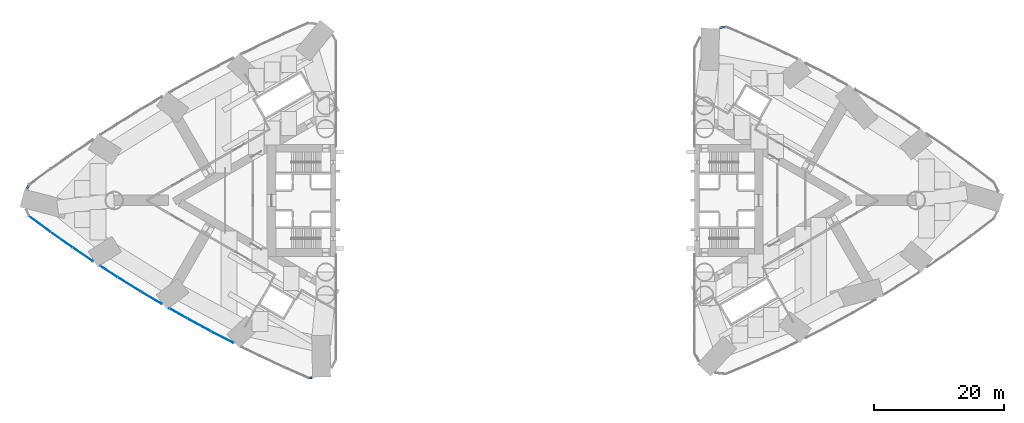
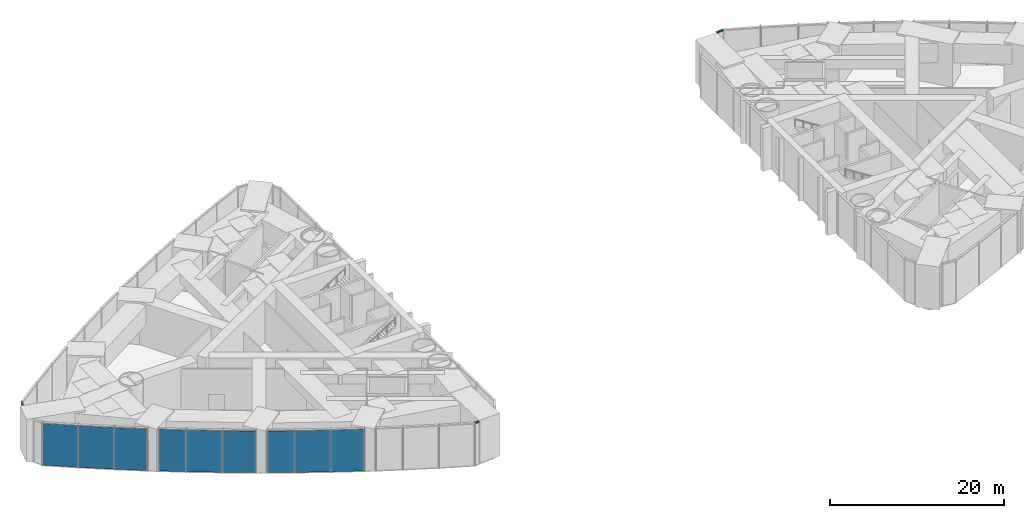
# One storey, part 10 of 18: 9 plates, 3 members, 6 elements without a shape of their own.
"""IFC4 building model written with IfcOpenShell, lengths in metres."""

from ifc_helpers import new_model, si_unit, direction, frame, origin, origin_2d, place, context, subcontext, project, spatial, rectangle, extrude, material, layer, layer_set, material_profile, profile_set, type_object, element, aggregate, save


model = new_model("IFC4")

# Units and contexts
model_context = context("Model", 3, precision=1e-05, world=origin(), true_north=direction((0.0, 1.0)))
body_context = subcontext(model_context, "Body", "Model", "MODEL_VIEW")
ifc_project = project(units=[si_unit("LENGTHUNIT", "METRE"), si_unit("AREAUNIT", "SQUARE_METRE"), si_unit("VOLUMEUNIT", "CUBIC_METRE"), si_unit("PLANEANGLEUNIT", "RADIAN"), si_unit("MASSUNIT", "GRAM", prefix="KILO")], contexts=[model_context])

# Site, building, storey
site_placement = place(None, origin())
site = spatial("IfcSite", under=ifc_project, at=site_placement, CompositionType="ELEMENT")
building_placement = place(site_placement, origin())
building = spatial("IfcBuilding", under=site, at=building_placement, Name="Lancet Gate Hotel", CompositionType="ELEMENT")
storey_placement = place(building_placement, frame((0.0, 0.0, 81.0)))
storey = spatial("IfcBuildingStorey", under=building, at=storey_placement, Name="L21", CompositionType="ELEMENT", Elevation=81.0)

# Curtain wall, member
ifc_material_1 = material(Name="Aluminium curtain wall", Category="aluminium")
curtain_wall_type = type_object("IfcCurtainWallType", Name="Refuge storey louvred curtain wall", PredefinedType="USERDEFINED", material=ifc_material_1)
curtain_wall_1_placement = place(storey_placement, origin())
curtain_wall_1 = element("IfcCurtainWall", 1, at=curtain_wall_1_placement, inside=storey, type_object=curtain_wall_type, Name="T1 L21 curtain wall 5", ObjectType="LANTERN GLAZING", PredefinedType="USERDEFINED")
ifc_material_2 = material(Name="Aluminium transom", Category="aluminium")
ifc_material_profile = material_profile(ifc_material_2, rectangle(XDim=0.25, YDim=0.14990234375, at=origin_2d()), Name="TRANSOM 250x150")
ifc_profile_set = profile_set([ifc_material_profile], Name="Aluminium transom")
member_type = type_object("IfcMemberType", Name="Aluminium transom 250x150", PredefinedType="USERDEFINED", material=ifc_profile_set)
member_1_placement = place(storey_placement, frame((-74.597412109375, 2.37255859375, 5.925048828125), z_axis=(-0.447763335513, -0.89415210975, 0.0), x_axis=(0.89415210975, -0.447763335513, 0.0)))
member_1 = element("IfcMember", 2, at=member_1_placement, type_object=member_type, Name="T1 L21 curtain wall 5 transom 4", ObjectType="TRANSOM", PredefinedType="USERDEFINED", context=body_context, shape_type="SweptSolid", body=[
    extrude(rectangle(XDim=0.25, YDim=0.14990234375, at=origin_2d()), origin(), (0.0, 0.0, 1.0), 0.71044921875),
])
aggregate(curtain_wall_1, [member_1])

curtain_wall_2_placement = place(storey_placement, origin())
curtain_wall_2 = element("IfcCurtainWall", 3, at=curtain_wall_2_placement, inside=storey, type_object=curtain_wall_type, Name="T1 L21 curtain wall 9", ObjectType="LANTERN GLAZING", PredefinedType="USERDEFINED")
member_2_placement = place(storey_placement, frame((-31.65625, -27.242919921875, 5.925048828125), z_axis=(0.996176934888, 0.087358539348, 0.0), x_axis=(-0.087358539348, 0.996176934888, 0.0)))
member_2 = element("IfcMember", 4, at=member_2_placement, type_object=member_type, Name="T1 L21 curtain wall 9 transom 4", ObjectType="TRANSOM", PredefinedType="USERDEFINED", context=body_context, shape_type="SweptSolid", body=[
    extrude(rectangle(XDim=0.25, YDim=0.14990234375, at=origin_2d()), origin(), (0.0, 0.0, 1.0), 0.505859375),
])
aggregate(curtain_wall_2, [member_2])

curtain_wall_3_placement = place(storey_placement, origin())
curtain_wall_3 = element("IfcCurtainWall", 5, at=curtain_wall_3_placement, inside=storey, type_object=curtain_wall_type, Name="T2 L21 curtain wall 9", ObjectType="LANTERN GLAZING", PredefinedType="USERDEFINED")
member_3_placement = place(storey_placement, frame((32.28515625, 26.6240234375, 5.925048828125), z_axis=(-0.99466679181, -0.103140551052, 0.0), x_axis=(0.103140551052, -0.99466679181, 0.0)))
member_3 = element("IfcMember", 6, at=member_3_placement, type_object=member_type, Name="T2 L21 curtain wall 9 transom 4", ObjectType="TRANSOM", PredefinedType="USERDEFINED", context=body_context, shape_type="SweptSolid", body=[
    extrude(rectangle(XDim=0.25, YDim=0.14990234375, at=origin_2d()), origin(), (0.0, 0.0, 1.0), 0.897216796875),
])
aggregate(curtain_wall_3, [member_3])

# Curtain wall, plates
curtain_wall_4_placement = place(storey_placement, origin())
curtain_wall_4 = element("IfcCurtainWall", 7, at=curtain_wall_4_placement, inside=storey, type_object=curtain_wall_type, Name="T1 L21 curtain wall 6", ObjectType="LANTERN GLAZING", PredefinedType="USERDEFINED")
ifc_material_3 = material(Name="Aluminium weather louvre 100 deep", Category="aluminium")
ifc_layer = layer(ifc_material_3, 0.10009765625)
ifc_layer_set = layer_set([ifc_layer], Name="Louvre panel")
plate_type = type_object("IfcPlateType", Name="Louvre panel", PredefinedType="CURTAIN_PANEL", material=ifc_layer_set)
plate_1_placement = place(storey_placement, frame((-72.91357421875, -3.6259765625, 0.0), z_axis=(0.0, 0.0, 1.0), x_axis=(0.80639010009, -0.591383975499, 0.0)))
plate_1 = element("IfcPlate", 8, at=plate_1_placement, type_object=plate_type, Name="T1 L21 curtain wall 6 panel 2", PredefinedType="CURTAIN_PANEL", context=body_context, shape_type="SweptSolid", body=[
    extrude(rectangle(XDim=4.0751953125, YDim=0.10009765625, at=origin_2d()), origin(), (0.0, 0.0, 1.0), 5.85009765625),
])
plate_2_placement = place(storey_placement, frame((-69.55126953125, -6.04150390625, 0.0), z_axis=(0.0, 0.0, 1.0), x_axis=(0.817825154435, -0.575466781642, 0.0)))
plate_2 = element("IfcPlate", 9, at=plate_2_placement, type_object=plate_type, Name="T1 L21 curtain wall 6 panel 3", PredefinedType="CURTAIN_PANEL", context=body_context, shape_type="SweptSolid", body=[
    extrude(rectangle(XDim=4.0751953125, YDim=0.10009765625, at=origin_2d()), origin(), (0.0, 0.0, 1.0), 5.85009765625),
])
plate_3_placement = place(storey_placement, frame((-66.281005859375, -8.296875, 0.0), z_axis=(0.0, 0.0, 1.0), x_axis=(0.828946067803, -0.559328540907, 0.0)))
plate_3 = element("IfcPlate", 10, at=plate_3_placement, type_object=plate_type, Name="T1 L21 curtain wall 6 panel 4", PredefinedType="CURTAIN_PANEL", context=body_context, shape_type="SweptSolid", body=[
    extrude(rectangle(XDim=3.740234375, YDim=0.10009765625, at=origin_2d()), origin(), (0.0, 0.0, 1.0), 5.85009765625),
])
aggregate(curtain_wall_4, [plate_1, plate_2, plate_3])

curtain_wall_5_placement = place(storey_placement, origin())
curtain_wall_5 = element("IfcCurtainWall", 11, at=curtain_wall_5_placement, inside=storey, type_object=curtain_wall_type, Name="T1 L21 curtain wall 7", ObjectType="LANTERN GLAZING", PredefinedType="USERDEFINED")
plate_4_placement = place(storey_placement, frame((-62.2880859375, -10.93115234375, 0.0), z_axis=(0.0, 0.0, 1.0), x_axis=(0.839748568448, -0.54297545229, 0.0)))
plate_4 = element("IfcPlate", 12, at=plate_4_placement, type_object=plate_type, Name="T1 L21 curtain wall 7 panel 1", PredefinedType="CURTAIN_PANEL", context=body_context, shape_type="SweptSolid", body=[
    extrude(rectangle(XDim=3.123046875, YDim=0.10009765625, at=origin_2d()), origin(), (0.0, 0.0, 1.0), 5.85009765625),
])
plate_5_placement = place(storey_placement, frame((-59.189208984375, -12.88623046875, 0.0), z_axis=(0.0, 0.0, 1.0), x_axis=(0.850228506958, -0.52641379727, 0.0)))
plate_5 = element("IfcPlate", 13, at=plate_5_placement, type_object=plate_type, Name="T1 L21 curtain wall 7 panel 2", PredefinedType="CURTAIN_PANEL", context=body_context, shape_type="SweptSolid", body=[
    extrude(rectangle(XDim=4.0751953125, YDim=0.10009765625, at=origin_2d()), origin(), (0.0, 0.0, 1.0), 5.85009765625),
])
plate_6_placement = place(storey_placement, frame((-55.7841796875, -14.95068359375, 0.0), z_axis=(0.0, 0.0, 1.0), x_axis=(0.860381857795, -0.509649937484, 0.0)))
plate_6 = element("IfcPlate", 14, at=plate_6_placement, type_object=plate_type, Name="T1 L21 curtain wall 7 panel 3", PredefinedType="CURTAIN_PANEL", context=body_context, shape_type="SweptSolid", body=[
    extrude(rectangle(XDim=3.75927734375, YDim=0.10009765625, at=origin_2d()), origin(), (0.0, 0.0, 1.0), 5.85009765625),
])
aggregate(curtain_wall_5, [plate_4, plate_5, plate_6])

curtain_wall_6_placement = place(storey_placement, origin())
curtain_wall_6 = element("IfcCurtainWall", 15, at=curtain_wall_6_placement, inside=storey, type_object=curtain_wall_type, Name="T1 L21 curtain wall 8", ObjectType="LANTERN GLAZING", PredefinedType="USERDEFINED")
plate_7_placement = place(storey_placement, frame((-51.640380859375, -17.346923828125, 0.0), z_axis=(0.0, 0.0, 1.0), x_axis=(0.870204720871, -0.492690312238, 0.0)))
plate_7 = element("IfcPlate", 16, at=plate_7_placement, type_object=plate_type, Name="T1 L21 curtain wall 8 panel 1", PredefinedType="CURTAIN_PANEL", context=body_context, shape_type="SweptSolid", body=[
    extrude(rectangle(XDim=3.09814453125, YDim=0.10009765625, at=origin_2d()), origin(), (0.0, 0.0, 1.0), 5.85009765625),
])
plate_8_placement = place(storey_placement, frame((-48.443115234375, -19.110595703125, 0.0), z_axis=(0.0, 0.0, 1.0), x_axis=(0.87969332307, -0.475541435993, 0.0)))
plate_8 = element("IfcPlate", 17, at=plate_8_placement, type_object=plate_type, Name="T1 L21 curtain wall 8 panel 2", PredefinedType="CURTAIN_PANEL", context=body_context, shape_type="SweptSolid", body=[
    extrude(rectangle(XDim=4.0751953125, YDim=0.10009765625, at=origin_2d()), origin(), (0.0, 0.0, 1.0), 5.85009765625),
])
plate_9_placement = place(storey_placement, frame((-44.905029296875, -20.97998046875, 0.0), z_axis=(0.0, 0.0, 1.0), x_axis=(0.888844019644, -0.458209895946, 0.0)))
plate_9 = element("IfcPlate", 18, at=plate_9_placement, type_object=plate_type, Name="T1 L21 curtain wall 8 panel 3", PredefinedType="CURTAIN_PANEL", context=body_context, shape_type="SweptSolid", body=[
    extrude(rectangle(XDim=3.798095703125, YDim=0.10009765625, at=origin_2d()), origin(), (0.0, 0.0, 1.0), 5.85009765625),
])
aggregate(curtain_wall_6, [plate_7, plate_8, plate_9])

save(model, "model.ifc")
